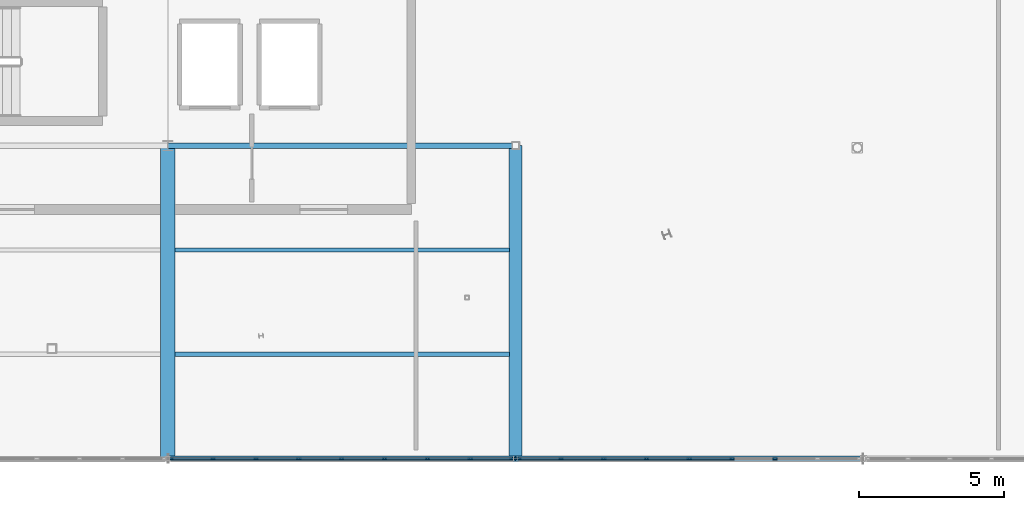
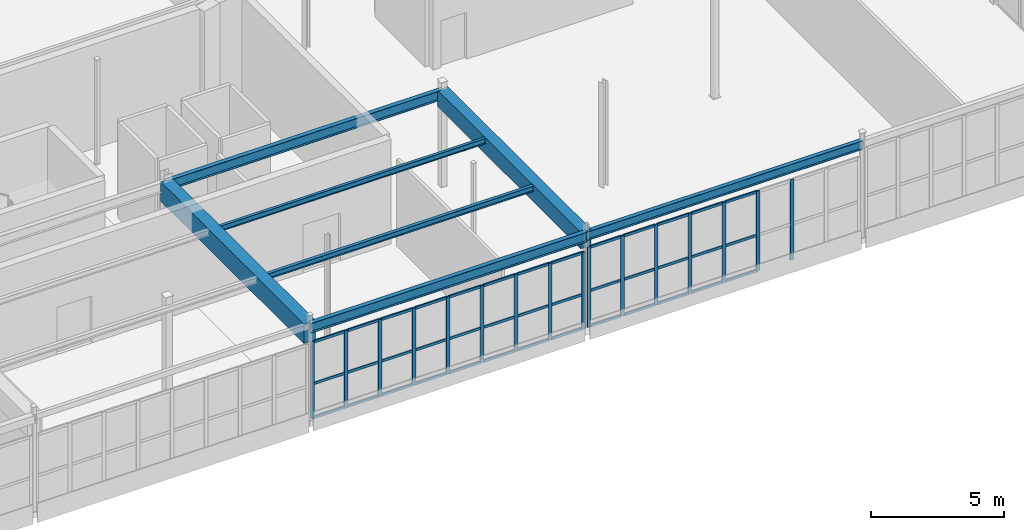
# One storey, part 80 of 226: 55 members, 7 beams, 2 elements without a shape of their own.
"""IFC4 building model written with IfcOpenShell, lengths in metres."""

from ifc_helpers import new_model, si_unit, direction, frame, origin, origin_2d, place, context, subcontext, project, spatial, rectangle, i_section, extrude, material, layer, layer_set, material_profile, profile_set, type_object, element, aggregate, save


model = new_model("IFC4")

# Units and contexts
model_context = context("Model", 3, precision=1e-05, world=origin(), true_north=direction((0.0, 1.0)))
body_context = subcontext(model_context, "Body", "Model", "MODEL_VIEW")
ifc_project = project(units=[si_unit("LENGTHUNIT", "METRE"), si_unit("AREAUNIT", "SQUARE_METRE"), si_unit("VOLUMEUNIT", "CUBIC_METRE"), si_unit("PLANEANGLEUNIT", "RADIAN"), si_unit("MASSUNIT", "GRAM", prefix="KILO")], contexts=[model_context])

# Site, building, storey
site_placement = place(None, origin())
site = spatial("IfcSite", under=ifc_project, at=site_placement, CompositionType="ELEMENT")
building_placement = place(site_placement, origin())
building = spatial("IfcBuilding", under=site, at=building_placement, Name="Tarnwether General Hospital", CompositionType="ELEMENT")
storey_placement = place(building_placement, frame((0.0, 0.0, 4.800048828125)))
storey = spatial("IfcBuildingStorey", under=building, at=storey_placement, Name="L01", CompositionType="ELEMENT", Elevation=4.800048828125)

# Beams
ifc_material_1 = material(Name="Steel Grade 350 (350 MPa)", Category="steel")
ifc_material_profile_1 = material_profile(ifc_material_1, i_section(OverallWidth=0.18994140625, OverallDepth=0.4541015625, WebThickness=0.008544921875, FlangeThickness=0.0126953125, at=origin_2d()), Name="460UB67.1")
ifc_profile_set_1 = profile_set([ifc_material_profile_1], Name="Steel Grade 350 (350 MPa)")
beam_type_1 = type_object("IfcBeamType", Name="BM-G10", PredefinedType="BEAM", material=ifc_profile_set_1)
beam_1_placement = place(storey_placement, frame((96.0, 10.800048828125, 4.218017578125), z_axis=(1.0, 0.0, 0.0), x_axis=(0.0, 1.0, 0.0)))
element("IfcBeam", 1, at=beam_1_placement, inside=storey, type_object=beam_type_1, Name="Primary Girder BMG-L01-9600_1080-10800_1080-1161", PredefinedType="BEAM", context=body_context, shape_type="SweptSolid", body=[
    extrude(i_section(OverallWidth=0.18994140625, OverallDepth=0.4541015625, WebThickness=0.008544921875, FlangeThickness=0.0126953125, at=origin_2d()), origin(), (0.0, 0.0, 1.0), 12.0),
])
ifc_material_2 = material(Name="Concrete 40 MPa", Category="concrete")
ifc_material_profile_2 = material_profile(ifc_material_2, rectangle(XDim=0.5, YDim=0.89990234375, at=origin_2d()), Name="RC-BM-500x900")
ifc_profile_set_2 = profile_set([ifc_material_profile_2], Name="Concrete 40 MPa")
beam_type_2 = type_object("IfcBeamType", Name="BM-G12", PredefinedType="BEAM", material=ifc_profile_set_2)
beam_2_placement = place(storey_placement, frame((96.0, 0.0, 3.994873046875), z_axis=(0.0, 1.0, 0.0), x_axis=(-1.0, 0.0, 0.0)))
element("IfcBeam", 2, at=beam_2_placement, inside=storey, type_object=beam_type_2, Name="Primary Girder BMG-L01-9600_0-9600_1080-1160", PredefinedType="BEAM", context=body_context, shape_type="SweptSolid", body=[
    extrude(rectangle(XDim=0.5, YDim=0.89990234375, at=origin_2d()), origin(), (0.0, 0.0, 1.0), 10.800048828125),
])
ifc_material_3 = material(Name="Concrete 40 MPa", Category="concrete")
ifc_material_profile_3 = material_profile(ifc_material_3, rectangle(XDim=0.449951171875, YDim=0.75, at=origin_2d()), Name="RC-BM-450x750")
ifc_profile_set_3 = profile_set([ifc_material_profile_3], Name="Concrete 40 MPa")
beam_type_3 = type_object("IfcBeamType", Name="BM-G13", PredefinedType="BEAM", material=ifc_profile_set_3)
beam_3_placement = place(storey_placement, frame((108.0, 0.0, 4.070068359375), z_axis=(0.0, 1.0, 0.0), x_axis=(-1.0, 0.0, 0.0)))
element("IfcBeam", 3, at=beam_3_placement, inside=storey, type_object=beam_type_3, Name="Primary Girder BMG-L01-10800_0-10800_1080-1172", PredefinedType="BEAM", context=body_context, shape_type="SweptSolid", body=[
    extrude(rectangle(XDim=0.449951171875, YDim=0.75, at=origin_2d()), origin(), (0.0, 0.0, 1.0), 10.800048828125),
])
ifc_material_4 = material(Name="Steel Grade 350 (350 MPa)", Category="steel")
ifc_material_profile_4 = material_profile(ifc_material_4, i_section(OverallWidth=0.14599609375, OverallDepth=0.251953125, WebThickness=0.006103515625, FlangeThickness=0.008544921875, at=origin_2d()), Name="250UB31.4")
ifc_profile_set_4 = profile_set([ifc_material_profile_4], Name="Steel Grade 350 (350 MPa)")
beam_type_4 = type_object("IfcBeamType", Name="BM-J10", PredefinedType="JOIST", material=ifc_profile_set_4)
beam_4_placement = place(storey_placement, frame((96.243896484375, 3.60009765625, 4.31884765625), z_axis=(1.0, 0.0, 0.0), x_axis=(0.0, 1.0, 0.0)))
element("IfcBeam", 4, at=beam_4_placement, inside=storey, type_object=beam_type_4, Name="Composite Floor Joist BMG-L01-9624_360-10778_360-1369", PredefinedType="JOIST", context=body_context, shape_type="SweptSolid", body=[
    extrude(i_section(OverallWidth=0.14599609375, OverallDepth=0.251953125, WebThickness=0.006103515625, FlangeThickness=0.008544921875, at=origin_2d()), origin(), (0.0, 0.0, 1.0), 11.537109375),
])
ifc_material_5 = material(Name="Steel Grade 350 (350 MPa)", Category="steel")
ifc_material_profile_5 = material_profile(ifc_material_5, i_section(OverallWidth=0.1240234375, OverallDepth=0.248046875, WebThickness=0.0048828125, FlangeThickness=0.008056640625, at=origin_2d()), Name="250UB25.7")
ifc_profile_set_5 = profile_set([ifc_material_profile_5], Name="Steel Grade 350 (350 MPa)")
beam_type_5 = type_object("IfcBeamType", Name="BM-J11", PredefinedType="JOIST", material=ifc_profile_set_5)
beam_5_placement = place(storey_placement, frame((96.243896484375, 7.199951171875, 4.321044921875), z_axis=(1.0, 0.0, 0.0), x_axis=(0.0, 1.0, 0.0)))
element("IfcBeam", 5, at=beam_5_placement, inside=storey, type_object=beam_type_5, Name="Composite Floor Joist BMG-L01-9624_720-10778_720-1370", PredefinedType="JOIST", context=body_context, shape_type="SweptSolid", body=[
    extrude(i_section(OverallWidth=0.1240234375, OverallDepth=0.248046875, WebThickness=0.0048828125, FlangeThickness=0.008056640625, at=origin_2d()), origin(), (0.0, 0.0, 1.0), 11.537109375),
])
ifc_material_6 = material(Name="Steel Grade 350 (350 MPa)", Category="steel")
ifc_material_profile_6 = material_profile(ifc_material_6, i_section(OverallWidth=0.18994140625, OverallDepth=0.4541015625, WebThickness=0.008544921875, FlangeThickness=0.0126953125, at=origin_2d()), Name="460UB67.1")
ifc_profile_set_6 = profile_set([ifc_material_profile_6], Name="Steel Grade 350 (350 MPa)")
beam_type_6 = type_object("IfcBeamType", Name="BM-SP1", PredefinedType="SPANDREL", material=ifc_profile_set_6)
beam_6_placement = place(storey_placement, frame((96.0, 0.0, 4.218017578125), z_axis=(1.0, 0.0, 0.0), x_axis=(0.0, 1.0, 0.0)))
element("IfcBeam", 6, at=beam_6_placement, inside=storey, type_object=beam_type_6, Name="Primary Girder BMG-L01-9600_0-10800_0-1159", PredefinedType="SPANDREL", context=body_context, shape_type="SweptSolid", body=[
    extrude(i_section(OverallWidth=0.18994140625, OverallDepth=0.4541015625, WebThickness=0.008544921875, FlangeThickness=0.0126953125, at=origin_2d()), origin(), (0.0, 0.0, 1.0), 12.0),
])
ifc_material_7 = material(Name="Steel Grade 350 (350 MPa)", Category="steel")
ifc_material_profile_7 = material_profile(ifc_material_7, i_section(OverallWidth=0.177978515625, OverallDepth=0.403076171875, WebThickness=0.007568359375, FlangeThickness=0.010986328125, at=origin_2d()), Name="410UB53.7")
ifc_profile_set_7 = profile_set([ifc_material_profile_7], Name="Steel Grade 350 (350 MPa)")
beam_type_7 = type_object("IfcBeamType", Name="BM-SP2", PredefinedType="SPANDREL", material=ifc_profile_set_7)
beam_7_placement = place(storey_placement, frame((108.0, 0.0, 4.243408203125), z_axis=(1.0, 0.0, 0.0), x_axis=(0.0, 1.0, 0.0)))
element("IfcBeam", 7, at=beam_7_placement, inside=storey, type_object=beam_type_7, Name="Primary Girder BMG-L01-10800_0-12000_0-1171", PredefinedType="SPANDREL", context=body_context, shape_type="SweptSolid", body=[
    extrude(i_section(OverallWidth=0.177978515625, OverallDepth=0.403076171875, WebThickness=0.007568359375, FlangeThickness=0.010986328125, at=origin_2d()), origin(), (0.0, 0.0, 1.0), 12.0),
])

# Curtain wall, members
ifc_material_8 = material(Name="Anodised aluminium", Category="aluminium")
ifc_layer = layer(ifc_material_8, 0.159912109375)
ifc_layer_set = layer_set([ifc_layer], Name="Anodised aluminium")
curtain_wall_type = type_object("IfcCurtainWallType", Name="CW-13", PredefinedType="NOTDEFINED", material=ifc_layer_set)
curtain_wall_1_placement = place(storey_placement, origin())
curtain_wall_1 = element("IfcCurtainWall", 8, at=curtain_wall_1_placement, inside=storey, type_object=curtain_wall_type, Name="Curtain Wall CWG-L01-1199_0-0330", PredefinedType="NOTDEFINED")
ifc_material_9 = material(Name="Anodised aluminium", Category="aluminium")
ifc_material_profile_8 = material_profile(ifc_material_9, rectangle(XDim=0.06005859375, YDim=0.159912109375, at=origin_2d()), Name="ALU-MUL-60x160")
ifc_profile_set_8 = profile_set([ifc_material_profile_8], Name="Anodised aluminium")
member_type_1 = type_object("IfcMemberType", Name="CW-ML1", PredefinedType="MULLION", material=ifc_profile_set_8)
member_1_placement = place(storey_placement, frame((116.943115234375, 0.0, 0.0), z_axis=(0.0, 0.0, 1.0), x_axis=(0.0, -1.0, 0.0)))
member_1 = element("IfcMember", 9, at=member_1_placement, type_object=member_type_1, Name="CW-13 mullion 3", PredefinedType="MULLION", context=body_context, shape_type="SweptSolid", body=[
    extrude(rectangle(XDim=0.06005859375, YDim=0.159912109375, at=origin_2d()), origin(), (0.0, 0.0, 1.0), 3.679931640625),
])
member_2_placement = place(storey_placement, frame((115.467041015625, 0.0, 0.0), z_axis=(0.0, 0.0, 1.0), x_axis=(0.0, -1.0, 0.0)))
member_2 = element("IfcMember", 10, at=member_2_placement, type_object=member_type_1, Name="CW-13 mullion 4", PredefinedType="MULLION", context=body_context, shape_type="SweptSolid", body=[
    extrude(rectangle(XDim=0.06005859375, YDim=0.159912109375, at=origin_2d()), origin(), (0.0, 0.0, 1.0), 3.679931640625),
])
member_3_placement = place(storey_placement, frame((113.990966796875, 0.0, 0.0), z_axis=(0.0, 0.0, 1.0), x_axis=(0.0, -1.0, 0.0)))
member_3 = element("IfcMember", 11, at=member_3_placement, type_object=member_type_1, Name="CW-13 mullion 5", PredefinedType="MULLION", context=body_context, shape_type="SweptSolid", body=[
    extrude(rectangle(XDim=0.06005859375, YDim=0.159912109375, at=origin_2d()), origin(), (0.0, 0.0, 1.0), 3.679931640625),
])
member_4_placement = place(storey_placement, frame((112.514892578125, 0.0, 0.0), z_axis=(0.0, 0.0, 1.0), x_axis=(0.0, -1.0, 0.0)))
member_4 = element("IfcMember", 12, at=member_4_placement, type_object=member_type_1, Name="CW-13 mullion 6", PredefinedType="MULLION", context=body_context, shape_type="SweptSolid", body=[
    extrude(rectangle(XDim=0.06005859375, YDim=0.159912109375, at=origin_2d()), origin(), (0.0, 0.0, 1.0), 3.679931640625),
])
member_5_placement = place(storey_placement, frame((111.0390625, 0.0, 0.0), z_axis=(0.0, 0.0, 1.0), x_axis=(0.0, -1.0, 0.0)))
member_5 = element("IfcMember", 13, at=member_5_placement, type_object=member_type_1, Name="CW-13 mullion 7", PredefinedType="MULLION", context=body_context, shape_type="SweptSolid", body=[
    extrude(rectangle(XDim=0.06005859375, YDim=0.159912109375, at=origin_2d()), origin(), (0.0, 0.0, 1.0), 3.679931640625),
])
member_6_placement = place(storey_placement, frame((109.56298828125, 0.0, 0.0), z_axis=(0.0, 0.0, 1.0), x_axis=(0.0, -1.0, 0.0)))
member_6 = element("IfcMember", 14, at=member_6_placement, type_object=member_type_1, Name="CW-13 mullion 8", PredefinedType="MULLION", context=body_context, shape_type="SweptSolid", body=[
    extrude(rectangle(XDim=0.06005859375, YDim=0.159912109375, at=origin_2d()), origin(), (0.0, 0.0, 1.0), 3.679931640625),
])
member_7_placement = place(storey_placement, frame((108.116943359375, 0.0, 0.0), z_axis=(0.0, 0.0, 1.0), x_axis=(0.0, -1.0, 0.0)))
member_7 = element("IfcMember", 15, at=member_7_placement, type_object=member_type_1, Name="CW-13 mullion 9", PredefinedType="MULLION", context=body_context, shape_type="SweptSolid", body=[
    extrude(rectangle(XDim=0.06005859375, YDim=0.159912109375, at=origin_2d()), origin(), (0.0, 0.0, 1.0), 3.679931640625),
])

curtain_wall_2_placement = place(storey_placement, origin())
curtain_wall_2 = element("IfcCurtainWall", 16, at=curtain_wall_2_placement, inside=storey, type_object=curtain_wall_type, Name="Curtain Wall CWG-L01-1079_0-0331", PredefinedType="NOTDEFINED")
member_8_placement = place(storey_placement, frame((107.883056640625, 0.0, 0.0), z_axis=(0.0, 0.0, 1.0), x_axis=(0.0, -1.0, 0.0)))
member_8 = element("IfcMember", 17, at=member_8_placement, type_object=member_type_1, Name="CW-13 mullion 1", PredefinedType="MULLION", context=body_context, shape_type="SweptSolid", body=[
    extrude(rectangle(XDim=0.06005859375, YDim=0.159912109375, at=origin_2d()), origin(), (0.0, 0.0, 1.0), 3.530029296875),
])
member_9_placement = place(storey_placement, frame((106.434326171875, 0.0, 0.0), z_axis=(0.0, 0.0, 1.0), x_axis=(0.0, -1.0, 0.0)))
member_9 = element("IfcMember", 18, at=member_9_placement, type_object=member_type_1, Name="CW-13 mullion 2", PredefinedType="MULLION", context=body_context, shape_type="SweptSolid", body=[
    extrude(rectangle(XDim=0.06005859375, YDim=0.159912109375, at=origin_2d()), origin(), (0.0, 0.0, 1.0), 3.530029296875),
])
member_10_placement = place(storey_placement, frame((104.95556640625, 0.0, 0.0), z_axis=(0.0, 0.0, 1.0), x_axis=(0.0, -1.0, 0.0)))
member_10 = element("IfcMember", 19, at=member_10_placement, type_object=member_type_1, Name="CW-13 mullion 3", PredefinedType="MULLION", context=body_context, shape_type="SweptSolid", body=[
    extrude(rectangle(XDim=0.06005859375, YDim=0.159912109375, at=origin_2d()), origin(), (0.0, 0.0, 1.0), 3.530029296875),
])
member_11_placement = place(storey_placement, frame((103.476806640625, 0.0, 0.0), z_axis=(0.0, 0.0, 1.0), x_axis=(0.0, -1.0, 0.0)))
member_11 = element("IfcMember", 20, at=member_11_placement, type_object=member_type_1, Name="CW-13 mullion 4", PredefinedType="MULLION", context=body_context, shape_type="SweptSolid", body=[
    extrude(rectangle(XDim=0.06005859375, YDim=0.159912109375, at=origin_2d()), origin(), (0.0, 0.0, 1.0), 3.530029296875),
])
member_12_placement = place(storey_placement, frame((101.998046875, 0.0, 0.0), z_axis=(0.0, 0.0, 1.0), x_axis=(0.0, -1.0, 0.0)))
member_12 = element("IfcMember", 21, at=member_12_placement, type_object=member_type_1, Name="CW-13 mullion 5", PredefinedType="MULLION", context=body_context, shape_type="SweptSolid", body=[
    extrude(rectangle(XDim=0.06005859375, YDim=0.159912109375, at=origin_2d()), origin(), (0.0, 0.0, 1.0), 3.530029296875),
])
member_13_placement = place(storey_placement, frame((100.519287109375, 0.0, 0.0), z_axis=(0.0, 0.0, 1.0), x_axis=(0.0, -1.0, 0.0)))
member_13 = element("IfcMember", 22, at=member_13_placement, type_object=member_type_1, Name="CW-13 mullion 6", PredefinedType="MULLION", context=body_context, shape_type="SweptSolid", body=[
    extrude(rectangle(XDim=0.06005859375, YDim=0.159912109375, at=origin_2d()), origin(), (0.0, 0.0, 1.0), 3.530029296875),
])
member_14_placement = place(storey_placement, frame((99.04052734375, 0.0, 0.0), z_axis=(0.0, 0.0, 1.0), x_axis=(0.0, -1.0, 0.0)))
member_14 = element("IfcMember", 23, at=member_14_placement, type_object=member_type_1, Name="CW-13 mullion 7", PredefinedType="MULLION", context=body_context, shape_type="SweptSolid", body=[
    extrude(rectangle(XDim=0.06005859375, YDim=0.159912109375, at=origin_2d()), origin(), (0.0, 0.0, 1.0), 3.530029296875),
])
member_15_placement = place(storey_placement, frame((97.561767578125, 0.0, 0.0), z_axis=(0.0, 0.0, 1.0), x_axis=(0.0, -1.0, 0.0)))
member_15 = element("IfcMember", 24, at=member_15_placement, type_object=member_type_1, Name="CW-13 mullion 8", PredefinedType="MULLION", context=body_context, shape_type="SweptSolid", body=[
    extrude(rectangle(XDim=0.06005859375, YDim=0.159912109375, at=origin_2d()), origin(), (0.0, 0.0, 1.0), 3.530029296875),
])
member_16_placement = place(storey_placement, frame((96.113037109375, 0.0, 0.0), z_axis=(0.0, 0.0, 1.0), x_axis=(0.0, -1.0, 0.0)))
member_16 = element("IfcMember", 25, at=member_16_placement, type_object=member_type_1, Name="CW-13 mullion 9", PredefinedType="MULLION", context=body_context, shape_type="SweptSolid", body=[
    extrude(rectangle(XDim=0.06005859375, YDim=0.159912109375, at=origin_2d()), origin(), (0.0, 0.0, 1.0), 3.530029296875),
])

# Member
ifc_material_10 = material(Name="Anodised aluminium", Category="aluminium")
ifc_material_profile_9 = material_profile(ifc_material_10, rectangle(XDim=0.06005859375, YDim=0.1201171875, at=origin_2d()), Name="ALU-TRN-60x120")
ifc_profile_set_9 = profile_set([ifc_material_profile_9], Name="Anodised aluminium")
member_type_2 = type_object("IfcMemberType", Name="CW-TR1", PredefinedType="USERDEFINED", material=ifc_profile_set_9)
member_17_placement = place(storey_placement, frame((115.43701171875, 0.0, 0.030029296875), z_axis=(-1.0, 0.0, 0.0), x_axis=(0.0, -1.0, 0.0)))
member_17 = element("IfcMember", 26, at=member_17_placement, type_object=member_type_2, Name="CW-13 transom 4.1", ObjectType="TRANSOM", PredefinedType="USERDEFINED", context=body_context, shape_type="SweptSolid", body=[
    extrude(rectangle(XDim=0.06005859375, YDim=0.1201171875, at=origin_2d()), origin(), (0.0, 0.0, 1.0), 1.416015625),
])

member_18_placement = place(storey_placement, frame((115.43701171875, 0.0, 1.656005859375), z_axis=(-1.0, 0.0, 0.0), x_axis=(0.0, -1.0, 0.0)))
member_18 = element("IfcMember", 27, at=member_18_placement, type_object=member_type_2, Name="CW-13 transom 4.2", ObjectType="TRANSOM", PredefinedType="USERDEFINED", context=body_context, shape_type="SweptSolid", body=[
    extrude(rectangle(XDim=0.06005859375, YDim=0.1201171875, at=origin_2d()), origin(), (0.0, 0.0, 1.0), 1.416015625),
])

member_19_placement = place(storey_placement, frame((115.43701171875, 0.0, 3.64990234375), z_axis=(-1.0, 0.0, 0.0), x_axis=(0.0, -1.0, 0.0)))
member_19 = element("IfcMember", 28, at=member_19_placement, type_object=member_type_2, Name="CW-13 transom 4.3", ObjectType="TRANSOM", PredefinedType="USERDEFINED", context=body_context, shape_type="SweptSolid", body=[
    extrude(rectangle(XDim=0.06005859375, YDim=0.1201171875, at=origin_2d()), origin(), (0.0, 0.0, 1.0), 1.416015625),
])

member_20_placement = place(storey_placement, frame((113.9609375, 0.0, 0.030029296875), z_axis=(-1.0, 0.0, 0.0), x_axis=(0.0, -1.0, 0.0)))
member_20 = element("IfcMember", 29, at=member_20_placement, type_object=member_type_2, Name="CW-13 transom 5.1", ObjectType="TRANSOM", PredefinedType="USERDEFINED", context=body_context, shape_type="SweptSolid", body=[
    extrude(rectangle(XDim=0.06005859375, YDim=0.1201171875, at=origin_2d()), origin(), (0.0, 0.0, 1.0), 1.416015625),
])

member_21_placement = place(storey_placement, frame((113.9609375, 0.0, 1.656005859375), z_axis=(-1.0, 0.0, 0.0), x_axis=(0.0, -1.0, 0.0)))
member_21 = element("IfcMember", 30, at=member_21_placement, type_object=member_type_2, Name="CW-13 transom 5.2", ObjectType="TRANSOM", PredefinedType="USERDEFINED", context=body_context, shape_type="SweptSolid", body=[
    extrude(rectangle(XDim=0.06005859375, YDim=0.1201171875, at=origin_2d()), origin(), (0.0, 0.0, 1.0), 1.416015625),
])

member_22_placement = place(storey_placement, frame((113.9609375, 0.0, 3.64990234375), z_axis=(-1.0, 0.0, 0.0), x_axis=(0.0, -1.0, 0.0)))
member_22 = element("IfcMember", 31, at=member_22_placement, type_object=member_type_2, Name="CW-13 transom 5.3", ObjectType="TRANSOM", PredefinedType="USERDEFINED", context=body_context, shape_type="SweptSolid", body=[
    extrude(rectangle(XDim=0.06005859375, YDim=0.1201171875, at=origin_2d()), origin(), (0.0, 0.0, 1.0), 1.416015625),
])

member_23_placement = place(storey_placement, frame((112.485107421875, 0.0, 0.030029296875), z_axis=(-1.0, 0.0, 0.0), x_axis=(0.0, -1.0, 0.0)))
member_23 = element("IfcMember", 32, at=member_23_placement, type_object=member_type_2, Name="CW-13 transom 6.1", ObjectType="TRANSOM", PredefinedType="USERDEFINED", context=body_context, shape_type="SweptSolid", body=[
    extrude(rectangle(XDim=0.06005859375, YDim=0.1201171875, at=origin_2d()), origin(), (0.0, 0.0, 1.0), 1.416015625),
])

member_24_placement = place(storey_placement, frame((112.485107421875, 0.0, 1.656005859375), z_axis=(-1.0, 0.0, 0.0), x_axis=(0.0, -1.0, 0.0)))
member_24 = element("IfcMember", 33, at=member_24_placement, type_object=member_type_2, Name="CW-13 transom 6.2", ObjectType="TRANSOM", PredefinedType="USERDEFINED", context=body_context, shape_type="SweptSolid", body=[
    extrude(rectangle(XDim=0.06005859375, YDim=0.1201171875, at=origin_2d()), origin(), (0.0, 0.0, 1.0), 1.416015625),
])

member_25_placement = place(storey_placement, frame((112.485107421875, 0.0, 3.64990234375), z_axis=(-1.0, 0.0, 0.0), x_axis=(0.0, -1.0, 0.0)))
member_25 = element("IfcMember", 34, at=member_25_placement, type_object=member_type_2, Name="CW-13 transom 6.3", ObjectType="TRANSOM", PredefinedType="USERDEFINED", context=body_context, shape_type="SweptSolid", body=[
    extrude(rectangle(XDim=0.06005859375, YDim=0.1201171875, at=origin_2d()), origin(), (0.0, 0.0, 1.0), 1.416015625),
])

member_26_placement = place(storey_placement, frame((111.009033203125, 0.0, 0.030029296875), z_axis=(-1.0, 0.0, 0.0), x_axis=(0.0, -1.0, 0.0)))
member_26 = element("IfcMember", 35, at=member_26_placement, type_object=member_type_2, Name="CW-13 transom 7.1", ObjectType="TRANSOM", PredefinedType="USERDEFINED", context=body_context, shape_type="SweptSolid", body=[
    extrude(rectangle(XDim=0.06005859375, YDim=0.1201171875, at=origin_2d()), origin(), (0.0, 0.0, 1.0), 1.416015625),
])

member_27_placement = place(storey_placement, frame((111.009033203125, 0.0, 1.656005859375), z_axis=(-1.0, 0.0, 0.0), x_axis=(0.0, -1.0, 0.0)))
member_27 = element("IfcMember", 36, at=member_27_placement, type_object=member_type_2, Name="CW-13 transom 7.2", ObjectType="TRANSOM", PredefinedType="USERDEFINED", context=body_context, shape_type="SweptSolid", body=[
    extrude(rectangle(XDim=0.06005859375, YDim=0.1201171875, at=origin_2d()), origin(), (0.0, 0.0, 1.0), 1.416015625),
])

member_28_placement = place(storey_placement, frame((111.009033203125, 0.0, 3.64990234375), z_axis=(-1.0, 0.0, 0.0), x_axis=(0.0, -1.0, 0.0)))
member_28 = element("IfcMember", 37, at=member_28_placement, type_object=member_type_2, Name="CW-13 transom 7.3", ObjectType="TRANSOM", PredefinedType="USERDEFINED", context=body_context, shape_type="SweptSolid", body=[
    extrude(rectangle(XDim=0.06005859375, YDim=0.1201171875, at=origin_2d()), origin(), (0.0, 0.0, 1.0), 1.416015625),
])

member_29_placement = place(storey_placement, frame((109.532958984375, 0.0, 0.030029296875), z_axis=(-1.0, 0.0, 0.0), x_axis=(0.0, -1.0, 0.0)))
member_29 = element("IfcMember", 38, at=member_29_placement, type_object=member_type_2, Name="CW-13 transom 8.1", ObjectType="TRANSOM", PredefinedType="USERDEFINED", context=body_context, shape_type="SweptSolid", body=[
    extrude(rectangle(XDim=0.06005859375, YDim=0.1201171875, at=origin_2d()), origin(), (0.0, 0.0, 1.0), 1.385986328125),
])

member_30_placement = place(storey_placement, frame((109.532958984375, 0.0, 1.656005859375), z_axis=(-1.0, 0.0, 0.0), x_axis=(0.0, -1.0, 0.0)))
member_30 = element("IfcMember", 39, at=member_30_placement, type_object=member_type_2, Name="CW-13 transom 8.2", ObjectType="TRANSOM", PredefinedType="USERDEFINED", context=body_context, shape_type="SweptSolid", body=[
    extrude(rectangle(XDim=0.06005859375, YDim=0.1201171875, at=origin_2d()), origin(), (0.0, 0.0, 1.0), 1.385986328125),
])

member_31_placement = place(storey_placement, frame((109.532958984375, 0.0, 3.64990234375), z_axis=(-1.0, 0.0, 0.0), x_axis=(0.0, -1.0, 0.0)))
member_31 = element("IfcMember", 40, at=member_31_placement, type_object=member_type_2, Name="CW-13 transom 8.3", ObjectType="TRANSOM", PredefinedType="USERDEFINED", context=body_context, shape_type="SweptSolid", body=[
    extrude(rectangle(XDim=0.06005859375, YDim=0.1201171875, at=origin_2d()), origin(), (0.0, 0.0, 1.0), 1.385986328125),
])

aggregate(curtain_wall_1, [member_1, member_2, member_3, member_4, member_5, member_6, member_7, member_17, member_18, member_19, member_20, member_21, member_22, member_23, member_24, member_25, member_26, member_27, member_28, member_29, member_30, member_31])

member_32_placement = place(storey_placement, frame((107.85302734375, 0.0, 0.030029296875), z_axis=(-1.0, 0.0, 0.0), x_axis=(0.0, -1.0, 0.0)))
member_32 = element("IfcMember", 41, at=member_32_placement, type_object=member_type_2, Name="CW-13 transom 1.1", ObjectType="TRANSOM", PredefinedType="USERDEFINED", context=body_context, shape_type="SweptSolid", body=[
    extrude(rectangle(XDim=0.06005859375, YDim=0.1201171875, at=origin_2d()), origin(), (0.0, 0.0, 1.0), 1.388671875),
])

member_33_placement = place(storey_placement, frame((107.85302734375, 0.0, 1.58837890625), z_axis=(-1.0, 0.0, 0.0), x_axis=(0.0, -1.0, 0.0)))
member_33 = element("IfcMember", 42, at=member_33_placement, type_object=member_type_2, Name="CW-13 transom 1.2", ObjectType="TRANSOM", PredefinedType="USERDEFINED", context=body_context, shape_type="SweptSolid", body=[
    extrude(rectangle(XDim=0.06005859375, YDim=0.1201171875, at=origin_2d()), origin(), (0.0, 0.0, 1.0), 1.388671875),
])

member_34_placement = place(storey_placement, frame((107.85302734375, 0.0, 3.5), z_axis=(-1.0, 0.0, 0.0), x_axis=(0.0, -1.0, 0.0)))
member_34 = element("IfcMember", 43, at=member_34_placement, type_object=member_type_2, Name="CW-13 transom 1.3", ObjectType="TRANSOM", PredefinedType="USERDEFINED", context=body_context, shape_type="SweptSolid", body=[
    extrude(rectangle(XDim=0.06005859375, YDim=0.1201171875, at=origin_2d()), origin(), (0.0, 0.0, 1.0), 1.388671875),
])

member_35_placement = place(storey_placement, frame((106.404296875, 0.0, 0.030029296875), z_axis=(-1.0, 0.0, 0.0), x_axis=(0.0, -1.0, 0.0)))
member_35 = element("IfcMember", 44, at=member_35_placement, type_object=member_type_2, Name="CW-13 transom 2.1", ObjectType="TRANSOM", PredefinedType="USERDEFINED", context=body_context, shape_type="SweptSolid", body=[
    extrude(rectangle(XDim=0.06005859375, YDim=0.1201171875, at=origin_2d()), origin(), (0.0, 0.0, 1.0), 1.418701171875),
])

member_36_placement = place(storey_placement, frame((106.404296875, 0.0, 1.58837890625), z_axis=(-1.0, 0.0, 0.0), x_axis=(0.0, -1.0, 0.0)))
member_36 = element("IfcMember", 45, at=member_36_placement, type_object=member_type_2, Name="CW-13 transom 2.2", ObjectType="TRANSOM", PredefinedType="USERDEFINED", context=body_context, shape_type="SweptSolid", body=[
    extrude(rectangle(XDim=0.06005859375, YDim=0.1201171875, at=origin_2d()), origin(), (0.0, 0.0, 1.0), 1.418701171875),
])

member_37_placement = place(storey_placement, frame((106.404296875, 0.0, 3.5), z_axis=(-1.0, 0.0, 0.0), x_axis=(0.0, -1.0, 0.0)))
member_37 = element("IfcMember", 46, at=member_37_placement, type_object=member_type_2, Name="CW-13 transom 2.3", ObjectType="TRANSOM", PredefinedType="USERDEFINED", context=body_context, shape_type="SweptSolid", body=[
    extrude(rectangle(XDim=0.06005859375, YDim=0.1201171875, at=origin_2d()), origin(), (0.0, 0.0, 1.0), 1.418701171875),
])

member_38_placement = place(storey_placement, frame((104.925537109375, 0.0, 0.030029296875), z_axis=(-1.0, 0.0, 0.0), x_axis=(0.0, -1.0, 0.0)))
member_38 = element("IfcMember", 47, at=member_38_placement, type_object=member_type_2, Name="CW-13 transom 3.1", ObjectType="TRANSOM", PredefinedType="USERDEFINED", context=body_context, shape_type="SweptSolid", body=[
    extrude(rectangle(XDim=0.06005859375, YDim=0.1201171875, at=origin_2d()), origin(), (0.0, 0.0, 1.0), 1.418701171875),
])

member_39_placement = place(storey_placement, frame((104.925537109375, 0.0, 1.58837890625), z_axis=(-1.0, 0.0, 0.0), x_axis=(0.0, -1.0, 0.0)))
member_39 = element("IfcMember", 48, at=member_39_placement, type_object=member_type_2, Name="CW-13 transom 3.2", ObjectType="TRANSOM", PredefinedType="USERDEFINED", context=body_context, shape_type="SweptSolid", body=[
    extrude(rectangle(XDim=0.06005859375, YDim=0.1201171875, at=origin_2d()), origin(), (0.0, 0.0, 1.0), 1.418701171875),
])

member_40_placement = place(storey_placement, frame((104.925537109375, 0.0, 3.5), z_axis=(-1.0, 0.0, 0.0), x_axis=(0.0, -1.0, 0.0)))
member_40 = element("IfcMember", 49, at=member_40_placement, type_object=member_type_2, Name="CW-13 transom 3.3", ObjectType="TRANSOM", PredefinedType="USERDEFINED", context=body_context, shape_type="SweptSolid", body=[
    extrude(rectangle(XDim=0.06005859375, YDim=0.1201171875, at=origin_2d()), origin(), (0.0, 0.0, 1.0), 1.418701171875),
])

member_41_placement = place(storey_placement, frame((103.44677734375, 0.0, 0.030029296875), z_axis=(-1.0, 0.0, 0.0), x_axis=(0.0, -1.0, 0.0)))
member_41 = element("IfcMember", 50, at=member_41_placement, type_object=member_type_2, Name="CW-13 transom 4.1", ObjectType="TRANSOM", PredefinedType="USERDEFINED", context=body_context, shape_type="SweptSolid", body=[
    extrude(rectangle(XDim=0.06005859375, YDim=0.1201171875, at=origin_2d()), origin(), (0.0, 0.0, 1.0), 1.418701171875),
])

member_42_placement = place(storey_placement, frame((103.44677734375, 0.0, 1.58837890625), z_axis=(-1.0, 0.0, 0.0), x_axis=(0.0, -1.0, 0.0)))
member_42 = element("IfcMember", 51, at=member_42_placement, type_object=member_type_2, Name="CW-13 transom 4.2", ObjectType="TRANSOM", PredefinedType="USERDEFINED", context=body_context, shape_type="SweptSolid", body=[
    extrude(rectangle(XDim=0.06005859375, YDim=0.1201171875, at=origin_2d()), origin(), (0.0, 0.0, 1.0), 1.418701171875),
])

member_43_placement = place(storey_placement, frame((103.44677734375, 0.0, 3.5), z_axis=(-1.0, 0.0, 0.0), x_axis=(0.0, -1.0, 0.0)))
member_43 = element("IfcMember", 52, at=member_43_placement, type_object=member_type_2, Name="CW-13 transom 4.3", ObjectType="TRANSOM", PredefinedType="USERDEFINED", context=body_context, shape_type="SweptSolid", body=[
    extrude(rectangle(XDim=0.06005859375, YDim=0.1201171875, at=origin_2d()), origin(), (0.0, 0.0, 1.0), 1.418701171875),
])

member_44_placement = place(storey_placement, frame((101.968017578125, 0.0, 0.030029296875), z_axis=(-1.0, 0.0, 0.0), x_axis=(0.0, -1.0, 0.0)))
member_44 = element("IfcMember", 53, at=member_44_placement, type_object=member_type_2, Name="CW-13 transom 5.1", ObjectType="TRANSOM", PredefinedType="USERDEFINED", context=body_context, shape_type="SweptSolid", body=[
    extrude(rectangle(XDim=0.06005859375, YDim=0.1201171875, at=origin_2d()), origin(), (0.0, 0.0, 1.0), 1.418701171875),
])

member_45_placement = place(storey_placement, frame((101.968017578125, 0.0, 1.58837890625), z_axis=(-1.0, 0.0, 0.0), x_axis=(0.0, -1.0, 0.0)))
member_45 = element("IfcMember", 54, at=member_45_placement, type_object=member_type_2, Name="CW-13 transom 5.2", ObjectType="TRANSOM", PredefinedType="USERDEFINED", context=body_context, shape_type="SweptSolid", body=[
    extrude(rectangle(XDim=0.06005859375, YDim=0.1201171875, at=origin_2d()), origin(), (0.0, 0.0, 1.0), 1.418701171875),
])

member_46_placement = place(storey_placement, frame((101.968017578125, 0.0, 3.5), z_axis=(-1.0, 0.0, 0.0), x_axis=(0.0, -1.0, 0.0)))
member_46 = element("IfcMember", 55, at=member_46_placement, type_object=member_type_2, Name="CW-13 transom 5.3", ObjectType="TRANSOM", PredefinedType="USERDEFINED", context=body_context, shape_type="SweptSolid", body=[
    extrude(rectangle(XDim=0.06005859375, YDim=0.1201171875, at=origin_2d()), origin(), (0.0, 0.0, 1.0), 1.418701171875),
])

member_47_placement = place(storey_placement, frame((100.4892578125, 0.0, 0.030029296875), z_axis=(-1.0, 0.0, 0.0), x_axis=(0.0, -1.0, 0.0)))
member_47 = element("IfcMember", 56, at=member_47_placement, type_object=member_type_2, Name="CW-13 transom 6.1", ObjectType="TRANSOM", PredefinedType="USERDEFINED", context=body_context, shape_type="SweptSolid", body=[
    extrude(rectangle(XDim=0.06005859375, YDim=0.1201171875, at=origin_2d()), origin(), (0.0, 0.0, 1.0), 1.418701171875),
])

member_48_placement = place(storey_placement, frame((100.4892578125, 0.0, 1.58837890625), z_axis=(-1.0, 0.0, 0.0), x_axis=(0.0, -1.0, 0.0)))
member_48 = element("IfcMember", 57, at=member_48_placement, type_object=member_type_2, Name="CW-13 transom 6.2", ObjectType="TRANSOM", PredefinedType="USERDEFINED", context=body_context, shape_type="SweptSolid", body=[
    extrude(rectangle(XDim=0.06005859375, YDim=0.1201171875, at=origin_2d()), origin(), (0.0, 0.0, 1.0), 1.418701171875),
])

member_49_placement = place(storey_placement, frame((100.4892578125, 0.0, 3.5), z_axis=(-1.0, 0.0, 0.0), x_axis=(0.0, -1.0, 0.0)))
member_49 = element("IfcMember", 58, at=member_49_placement, type_object=member_type_2, Name="CW-13 transom 6.3", ObjectType="TRANSOM", PredefinedType="USERDEFINED", context=body_context, shape_type="SweptSolid", body=[
    extrude(rectangle(XDim=0.06005859375, YDim=0.1201171875, at=origin_2d()), origin(), (0.0, 0.0, 1.0), 1.418701171875),
])

member_50_placement = place(storey_placement, frame((99.010498046875, 0.0, 0.030029296875), z_axis=(-1.0, 0.0, 0.0), x_axis=(0.0, -1.0, 0.0)))
member_50 = element("IfcMember", 59, at=member_50_placement, type_object=member_type_2, Name="CW-13 transom 7.1", ObjectType="TRANSOM", PredefinedType="USERDEFINED", context=body_context, shape_type="SweptSolid", body=[
    extrude(rectangle(XDim=0.06005859375, YDim=0.1201171875, at=origin_2d()), origin(), (0.0, 0.0, 1.0), 1.418701171875),
])

member_51_placement = place(storey_placement, frame((99.010498046875, 0.0, 1.58837890625), z_axis=(-1.0, 0.0, 0.0), x_axis=(0.0, -1.0, 0.0)))
member_51 = element("IfcMember", 60, at=member_51_placement, type_object=member_type_2, Name="CW-13 transom 7.2", ObjectType="TRANSOM", PredefinedType="USERDEFINED", context=body_context, shape_type="SweptSolid", body=[
    extrude(rectangle(XDim=0.06005859375, YDim=0.1201171875, at=origin_2d()), origin(), (0.0, 0.0, 1.0), 1.418701171875),
])

member_52_placement = place(storey_placement, frame((99.010498046875, 0.0, 3.5), z_axis=(-1.0, 0.0, 0.0), x_axis=(0.0, -1.0, 0.0)))
member_52 = element("IfcMember", 61, at=member_52_placement, type_object=member_type_2, Name="CW-13 transom 7.3", ObjectType="TRANSOM", PredefinedType="USERDEFINED", context=body_context, shape_type="SweptSolid", body=[
    extrude(rectangle(XDim=0.06005859375, YDim=0.1201171875, at=origin_2d()), origin(), (0.0, 0.0, 1.0), 1.418701171875),
])

member_53_placement = place(storey_placement, frame((97.53173828125, 0.0, 0.030029296875), z_axis=(-1.0, 0.0, 0.0), x_axis=(0.0, -1.0, 0.0)))
member_53 = element("IfcMember", 62, at=member_53_placement, type_object=member_type_2, Name="CW-13 transom 8.1", ObjectType="TRANSOM", PredefinedType="USERDEFINED", context=body_context, shape_type="SweptSolid", body=[
    extrude(rectangle(XDim=0.06005859375, YDim=0.1201171875, at=origin_2d()), origin(), (0.0, 0.0, 1.0), 1.388671875),
])

member_54_placement = place(storey_placement, frame((97.53173828125, 0.0, 1.58837890625), z_axis=(-1.0, 0.0, 0.0), x_axis=(0.0, -1.0, 0.0)))
member_54 = element("IfcMember", 63, at=member_54_placement, type_object=member_type_2, Name="CW-13 transom 8.2", ObjectType="TRANSOM", PredefinedType="USERDEFINED", context=body_context, shape_type="SweptSolid", body=[
    extrude(rectangle(XDim=0.06005859375, YDim=0.1201171875, at=origin_2d()), origin(), (0.0, 0.0, 1.0), 1.388671875),
])

member_55_placement = place(storey_placement, frame((97.53173828125, 0.0, 3.5), z_axis=(-1.0, 0.0, 0.0), x_axis=(0.0, -1.0, 0.0)))
member_55 = element("IfcMember", 64, at=member_55_placement, type_object=member_type_2, Name="CW-13 transom 8.3", ObjectType="TRANSOM", PredefinedType="USERDEFINED", context=body_context, shape_type="SweptSolid", body=[
    extrude(rectangle(XDim=0.06005859375, YDim=0.1201171875, at=origin_2d()), origin(), (0.0, 0.0, 1.0), 1.388671875),
])

aggregate(curtain_wall_2, [member_8, member_9, member_10, member_11, member_12, member_13, member_14, member_15, member_16, member_32, member_33, member_34, member_35, member_36, member_37, member_38, member_39, member_40, member_41, member_42, member_43, member_44, member_45, member_46, member_47, member_48, member_49, member_50, member_51, member_52, member_53, member_54, member_55])

save(model, "model.ifc")
